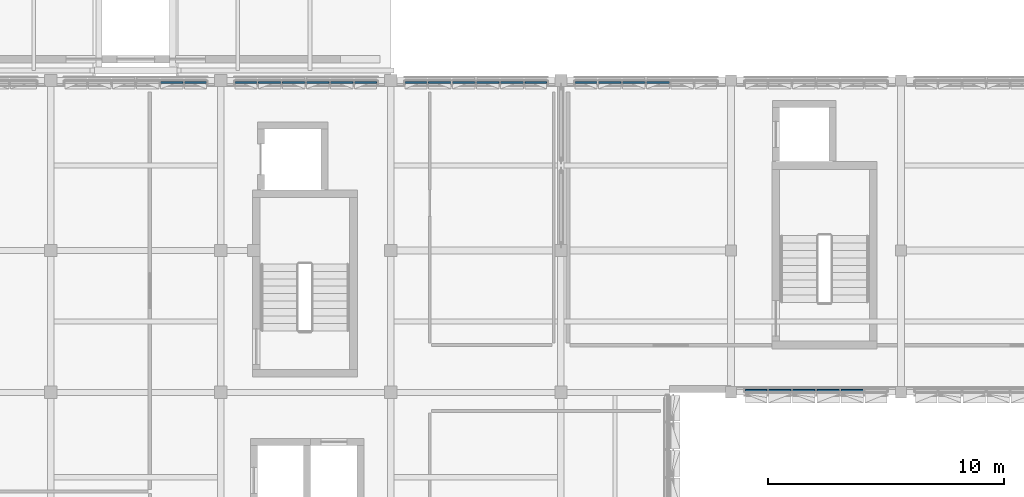
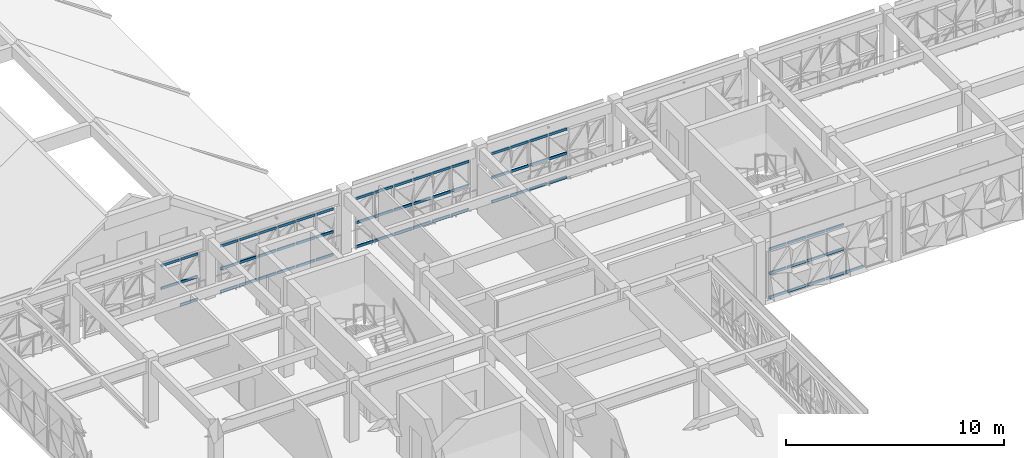
# One storey, part 16 of 48: 66 members, 5 elements without a shape of their own.
"""IFC4 building model written with IfcOpenShell, lengths in metres."""

import ifcopenshell
import ifcopenshell.guid

model = None  # the IFC model being written
_history = None  # IfcOwnerHistory: only IFC2X3 demands one
_inside = {}  # id of a spatial element -> (the spatial element, [elements in it])
_under = {}  # id of a project, library or spatial element -> (it, [spatial elements below it])
_declared = {}  # id of a project -> (the project, [libraries it declares])
_typed = {}  # id of a type object -> (the type object, [elements of that type])
_made_of = {}  # id of a material, layer set ... -> (it, [elements and type objects made of it])


def new_model(schema):
    """Start an empty IFC model of exactly this schema.

    Asked for "IFC4X3", IfcOpenShell would pick the latest addendum, in which some entities
    have other attributes; the version numbers below select the first issue.
    IFC2X3 requires an IfcOwnerHistory on every rooted entity: one is made here for all.
    """
    global model, _history
    if schema == "IFC4X3":
        model = ifcopenshell.file(schema_version=(4, 3, 0, 0))
    else:
        model = ifcopenshell.file(schema=schema)
    _inside.clear()
    _under.clear()
    _declared.clear()
    _typed.clear()
    _made_of.clear()
    _history = None
    if model.schema == "IFC2X3":
        org = make("IfcOrganization", Name="unknown")
        user = make(
            "IfcPersonAndOrganization",
            ThePerson=make("IfcPerson", FamilyName="unknown"),
            TheOrganization=org,
        )
        app = make(
            "IfcApplication",
            ApplicationDeveloper=org,
            Version="unknown",
            ApplicationFullName="unknown",
            ApplicationIdentifier="unknown",
        )
        _history = make(
            "IfcOwnerHistory",
            OwningUser=user,
            OwningApplication=app,
            ChangeAction="ADDED",
            CreationDate=0,
        )
    return model


def make(cls, **values):
    """One entity of the class cls with the attributes given. An attribute that is None is left unset."""
    return model.create_entity(
        cls, **{name: value for name, value in values.items() if value is not None}
    )


def rooted(cls, **values):
    """An entity with a GlobalId (a new one), such as an element, a storey or a relation."""
    return make(cls, GlobalId=ifcopenshell.guid.new(), OwnerHistory=_history, **values)


def si_unit(unit_type, name, prefix=None):
    """IfcSIUnit, for example si_unit("LENGTHUNIT", "METRE", prefix="MILLI")."""
    return make("IfcSIUnit", UnitType=unit_type, Prefix=prefix, Name=name)


def assignment(units):
    """IfcUnitAssignment: the units of a project."""
    return None if units is None else make("IfcUnitAssignment", Units=units)


def point(xyz):
    """IfcCartesianPoint."""
    return None if xyz is None else make("IfcCartesianPoint", Coordinates=xyz)


def direction(xyz):
    """IfcDirection."""
    return None if xyz is None else make("IfcDirection", DirectionRatios=xyz)


def frame(location, z_axis=None, x_axis=None):
    """IfcAxis2Placement3D, a coordinate frame: its origin and axes. An axis left out is left unset."""
    return make(
        "IfcAxis2Placement3D",
        Location=point(location),
        Axis=direction(z_axis),
        RefDirection=direction(x_axis),
    )


def frame_2d(location, x_axis=None):
    """IfcAxis2Placement2D, a coordinate frame in the plane: its origin and x axis."""
    return make(
        "IfcAxis2Placement2D", Location=point(location), RefDirection=direction(x_axis)
    )


def origin():
    """The frame at (0, 0, 0) with its axes left unset."""
    return frame((0.0, 0.0, 0.0))


def origin_2d():
    """The frame at (0, 0) in the plane with its x axis left unset."""
    return frame_2d((0.0, 0.0))


def place(relative_to, where):
    """IfcLocalPlacement: puts the frame where relative to a parent placement (None: the world)."""
    return make(
        "IfcLocalPlacement", PlacementRelTo=relative_to, RelativePlacement=where
    )


def context(
    kind, dimensions, precision=None, world=None, true_north=None, identifier=None
):
    """IfcGeometricRepresentationContext, for example the 3D "Model" context."""
    return make(
        "IfcGeometricRepresentationContext",
        ContextIdentifier=identifier,
        ContextType=kind,
        CoordinateSpaceDimension=dimensions,
        Precision=precision,
        WorldCoordinateSystem=world,
        TrueNorth=true_north,
    )


def subcontext(parent, identifier, kind, view, scale=None):
    """IfcGeometricRepresentationSubContext, for example "Body" below "Model"."""
    return make(
        "IfcGeometricRepresentationSubContext",
        ContextIdentifier=identifier,
        ContextType=kind,
        ParentContext=parent,
        TargetScale=scale,
        TargetView=view,
    )


def project(units=None, contexts=None):
    """IfcProject with its units and contexts."""
    return rooted(
        "IfcProject",
        Name="project",
        RepresentationContexts=contexts,
        UnitsInContext=assignment(units),
    )


def spatial(cls, under=None, at=None, **own):
    """A site, building, storey or space (cls), placed at a placement, below another one or the project."""
    s = rooted(cls, ObjectPlacement=at, **own)
    if under is not None:
        _under.setdefault(under.id(), (under, []))[1].append(s)
    return s


def profile(cls, at=None, kind="AREA", **sizes):
    """A parametric profile (cls). Its sizes go by their IFC names, for example OverallWidth=200.0."""
    return make(cls, ProfileType=kind, Position=at, **sizes)


def rectangle(**sizes):
    """IfcRectangleProfileDef."""
    return profile("IfcRectangleProfileDef", **sizes)


def extrude(swept, where, along, depth):
    """IfcExtrudedAreaSolid: the profile swept, set in the frame where, extruded along a direction by depth."""
    return make(
        "IfcExtrudedAreaSolid",
        SweptArea=swept,
        Position=where,
        ExtrudedDirection=direction(along),
        Depth=depth,
    )


def shape(context_of_items, identifier, shape_type, items):
    """IfcShapeRepresentation: the items that make up one representation, for example the "Body"."""
    return make(
        "IfcShapeRepresentation",
        ContextOfItems=context_of_items,
        RepresentationIdentifier=identifier,
        RepresentationType=shape_type,
        Items=items,
    )


def material(Name=None, Category=None):
    """IfcMaterial."""
    return make("IfcMaterial", Name=Name, Category=Category)


def material_profile(
    of_material, cross_section, Name=None, Category=None, Priority=None
):
    """IfcMaterialProfile: a cross section and its material."""
    return make(
        "IfcMaterialProfile",
        Name=Name,
        Material=of_material,
        Profile=cross_section,
        Priority=Priority,
        Category=Category,
    )


def profile_set(profiles, Name=None, composite=None):
    """IfcMaterialProfileSet."""
    return make(
        "IfcMaterialProfileSet",
        Name=Name,
        MaterialProfiles=profiles,
        CompositeProfile=composite,
    )


def made_of(thing, what):
    """Note that an element or type object is made of a material, layer set ...; save() writes the relation."""
    if what is not None:
        _made_of.setdefault(what.id(), (what, []))[1].append(thing)
    return thing


def type_object(cls, material=None, **own):
    """A type object (cls), such as IfcWallType, which elements share."""
    return made_of(rooted(cls, **own), material)


def element(
    cls,
    number,
    at=None,
    inside=None,
    cuts=None,
    type_object=None,
    material=None,
    context=None,
    identifier="Body",
    shape_type=None,
    held_by="IfcProductDefinitionShape",
    body=None,
    shapes=None,
    **own,
):
    """One element of the class cls, such as IfcWall. Its Tag is "e" and its number.

    at: its placement. inside: the storey or other place that contains it. cuts: it is an
    opening in that element (IfcRelVoidsElement). A single representation is given by context,
    identifier, shape_type and body (its items); several are given by shapes. held_by: the class
    of the entity that holds the representations. save() writes the other relations.
    """
    e = rooted(cls, Tag="e%d" % number, ObjectPlacement=at, **own)
    if body is not None:
        shapes = [shape(context, identifier, shape_type, body)]
    if shapes is not None:
        e.Representation = make(held_by, Representations=shapes)
    if inside is not None:
        _inside.setdefault(inside.id(), (inside, []))[1].append(e)
    if cuts is not None:
        rooted(
            "IfcRelVoidsElement", RelatingBuildingElement=cuts, RelatedOpeningElement=e
        )
    if type_object is not None:
        _typed.setdefault(type_object.id(), (type_object, []))[1].append(e)
    return made_of(e, material)


def aggregate(whole, parts):
    """IfcRelAggregates: a whole, such as a stair, and the parts it consists of."""
    return rooted("IfcRelAggregates", RelatingObject=whole, RelatedObjects=parts)


def save(model, path):
    """Write the relations noted so far, then the file.

    IfcRelAggregates (storeys below a building ...), IfcRelContainedInSpatialStructure (elements
    in a storey), IfcRelDefinesByType, IfcRelAssociatesMaterial and IfcRelDeclares: one each for
    every whole, place, type object, material and project.
    """
    for whole, parts in _under.values():
        aggregate(whole, parts)
    for where, things in _inside.values():
        rooted(
            "IfcRelContainedInSpatialStructure",
            RelatedElements=things,
            RelatingStructure=where,
        )
    for kind, things in _typed.values():
        rooted("IfcRelDefinesByType", RelatedObjects=things, RelatingType=kind)
    for what, things in _made_of.values():
        rooted("IfcRelAssociatesMaterial", RelatedObjects=things, RelatingMaterial=what)
    for by, libraries in _declared.values():
        rooted("IfcRelDeclares", RelatingContext=by, RelatedDefinitions=libraries)
    model.write(path)


model = new_model("IFC4")

# Units and contexts
model_context = context("Model", 3, precision=1e-05, world=origin(), true_north=direction((0.0, 1.0)))
body_context = subcontext(model_context, "Body", "Model", "MODEL_VIEW")
ifc_project = project(units=[si_unit("LENGTHUNIT", "METRE"), si_unit("AREAUNIT", "SQUARE_METRE"), si_unit("VOLUMEUNIT", "CUBIC_METRE"), si_unit("PLANEANGLEUNIT", "RADIAN"), si_unit("MASSUNIT", "GRAM", prefix="KILO")], contexts=[model_context])

# Site, building, storey
site_placement = place(None, origin())
site = spatial("IfcSite", under=ifc_project, at=site_placement, CompositionType="ELEMENT")
building_placement = place(site_placement, origin())
building = spatial("IfcBuilding", under=site, at=building_placement, Name="Alvorim Cloister Faculty of Sciences", CompositionType="ELEMENT")
storey_placement = place(building_placement, frame((0.0, 0.0, 19.35009765625)))
storey = spatial("IfcBuildingStorey", under=building, at=storey_placement, Name="L05", CompositionType="ELEMENT", Elevation=19.35009765625)

# Curtain wall, members
ifc_material_1 = material(Name="Aluminium and Low-E Glass Curtain Wall", Category="aluminium")
curtain_wall_type_1 = type_object("IfcCurtainWallType", Name="CW-TRI-6120x2706", PredefinedType="USERDEFINED", material=ifc_material_1)
curtain_wall_1_placement = place(storey_placement, origin())
curtain_wall_1 = element("IfcCurtainWall", 1, at=curtain_wall_1_placement, inside=storey, type_object=curtain_wall_type_1, Name="L05 Diagonal Cassette Curtain Wall CW-0220", ObjectType="UNITISED CURTAIN WALL", PredefinedType="USERDEFINED")
ifc_material_2 = material(Name="Aluminium Alloy 6063-T6", Category="aluminium")
ifc_material_profile = material_profile(ifc_material_2, rectangle(XDim=0.06494140625, YDim=0.139892578125, at=origin_2d()), Name="ALU-TRN-65x140")
ifc_profile_set = profile_set([ifc_material_profile], Name="Aluminium Alloy 6063-T6")
member_type = type_object("IfcMemberType", Name="CW-TRN-65x140", PredefinedType="USERDEFINED", material=ifc_profile_set)
member_1_placement = place(storey_placement, frame((11.8525390625, 56.31005859375, 1.352783203125), z_axis=(1.0, 0.0, 0.0), x_axis=(0.0, 1.0, 0.0)))
member_1 = element("IfcMember", 2, at=member_1_placement, type_object=member_type, Name="CW-0220 Transom 5.2", ObjectType="TRANSOM", PredefinedType="USERDEFINED", context=body_context, shape_type="SweptSolid", body=[
    extrude(rectangle(XDim=0.06494140625, YDim=0.139892578125, at=origin_2d()), origin(), (0.0, 0.0, 1.0), 0.955078125),
])
member_2_placement = place(storey_placement, frame((11.8525390625, 56.31005859375, 2.635986328125), z_axis=(1.0, 0.0, 0.0), x_axis=(0.0, 1.0, 0.0)))
member_2 = element("IfcMember", 3, at=member_2_placement, type_object=member_type, Name="CW-0220 Transom 5.3", ObjectType="TRANSOM", PredefinedType="USERDEFINED", context=body_context, shape_type="SweptSolid", body=[
    extrude(rectangle(XDim=0.06494140625, YDim=0.139892578125, at=origin_2d()), origin(), (0.0, 0.0, 1.0), 0.955078125),
])
member_3_placement = place(storey_placement, frame((12.87255859375, 56.31005859375, 0.06982421875), z_axis=(1.0, 0.0, 0.0), x_axis=(0.0, 1.0, 0.0)))
member_3 = element("IfcMember", 4, at=member_3_placement, type_object=member_type, Name="CW-0220 Transom 6.1", ObjectType="TRANSOM", PredefinedType="USERDEFINED", context=body_context, shape_type="SweptSolid", body=[
    extrude(rectangle(XDim=0.06494140625, YDim=0.139892578125, at=origin_2d()), origin(), (0.0, 0.0, 1.0), 0.92236328125),
])
member_4_placement = place(storey_placement, frame((12.87255859375, 56.31005859375, 1.352783203125), z_axis=(1.0, 0.0, 0.0), x_axis=(0.0, 1.0, 0.0)))
member_4 = element("IfcMember", 5, at=member_4_placement, type_object=member_type, Name="CW-0220 Transom 6.2", ObjectType="TRANSOM", PredefinedType="USERDEFINED", context=body_context, shape_type="SweptSolid", body=[
    extrude(rectangle(XDim=0.06494140625, YDim=0.139892578125, at=origin_2d()), origin(), (0.0, 0.0, 1.0), 0.92236328125),
])
member_5_placement = place(storey_placement, frame((12.87255859375, 56.31005859375, 2.635986328125), z_axis=(1.0, 0.0, 0.0), x_axis=(0.0, 1.0, 0.0)))
member_5 = element("IfcMember", 6, at=member_5_placement, type_object=member_type, Name="CW-0220 Transom 6.3", ObjectType="TRANSOM", PredefinedType="USERDEFINED", context=body_context, shape_type="SweptSolid", body=[
    extrude(rectangle(XDim=0.06494140625, YDim=0.139892578125, at=origin_2d()), origin(), (0.0, 0.0, 1.0), 0.92236328125),
])
aggregate(curtain_wall_1, [member_1, member_2, member_3, member_4, member_5])

curtain_wall_2_placement = place(storey_placement, origin())
curtain_wall_2 = element("IfcCurtainWall", 7, at=curtain_wall_2_placement, inside=storey, type_object=curtain_wall_type_1, Name="L05 Diagonal Cassette Curtain Wall CW-0221", ObjectType="UNITISED CURTAIN WALL", PredefinedType="USERDEFINED")
member_6_placement = place(storey_placement, frame((15.0048828125, 56.31005859375, 0.06982421875), z_axis=(1.0, 0.0, 0.0), x_axis=(0.0, 1.0, 0.0)))
member_6 = element("IfcMember", 8, at=member_6_placement, type_object=member_type, Name="CW-0221 Transom 1.1", ObjectType="TRANSOM", PredefinedType="USERDEFINED", context=body_context, shape_type="SweptSolid", body=[
    extrude(rectangle(XDim=0.06494140625, YDim=0.139892578125, at=origin_2d()), origin(), (0.0, 0.0, 1.0), 0.922607421875),
])
member_7_placement = place(storey_placement, frame((15.0048828125, 56.31005859375, 1.352783203125), z_axis=(1.0, 0.0, 0.0), x_axis=(0.0, 1.0, 0.0)))
member_7 = element("IfcMember", 9, at=member_7_placement, type_object=member_type, Name="CW-0221 Transom 1.2", ObjectType="TRANSOM", PredefinedType="USERDEFINED", context=body_context, shape_type="SweptSolid", body=[
    extrude(rectangle(XDim=0.06494140625, YDim=0.139892578125, at=origin_2d()), origin(), (0.0, 0.0, 1.0), 0.922607421875),
])
member_8_placement = place(storey_placement, frame((15.0048828125, 56.31005859375, 2.635986328125), z_axis=(1.0, 0.0, 0.0), x_axis=(0.0, 1.0, 0.0)))
member_8 = element("IfcMember", 10, at=member_8_placement, type_object=member_type, Name="CW-0221 Transom 1.3", ObjectType="TRANSOM", PredefinedType="USERDEFINED", context=body_context, shape_type="SweptSolid", body=[
    extrude(rectangle(XDim=0.06494140625, YDim=0.139892578125, at=origin_2d()), origin(), (0.0, 0.0, 1.0), 0.922607421875),
])
member_9_placement = place(storey_placement, frame((15.992431640625, 56.31005859375, 0.06982421875), z_axis=(1.0, 0.0, 0.0), x_axis=(0.0, 1.0, 0.0)))
member_9 = element("IfcMember", 11, at=member_9_placement, type_object=member_type, Name="CW-0221 Transom 2.1", ObjectType="TRANSOM", PredefinedType="USERDEFINED", context=body_context, shape_type="SweptSolid", body=[
    extrude(rectangle(XDim=0.06494140625, YDim=0.139892578125, at=origin_2d()), origin(), (0.0, 0.0, 1.0), 0.955078125),
])
member_10_placement = place(storey_placement, frame((15.992431640625, 56.31005859375, 1.352783203125), z_axis=(1.0, 0.0, 0.0), x_axis=(0.0, 1.0, 0.0)))
member_10 = element("IfcMember", 12, at=member_10_placement, type_object=member_type, Name="CW-0221 Transom 2.2", ObjectType="TRANSOM", PredefinedType="USERDEFINED", context=body_context, shape_type="SweptSolid", body=[
    extrude(rectangle(XDim=0.06494140625, YDim=0.139892578125, at=origin_2d()), origin(), (0.0, 0.0, 1.0), 0.955078125),
])
member_11_placement = place(storey_placement, frame((15.992431640625, 56.31005859375, 2.635986328125), z_axis=(1.0, 0.0, 0.0), x_axis=(0.0, 1.0, 0.0)))
member_11 = element("IfcMember", 13, at=member_11_placement, type_object=member_type, Name="CW-0221 Transom 2.3", ObjectType="TRANSOM", PredefinedType="USERDEFINED", context=body_context, shape_type="SweptSolid", body=[
    extrude(rectangle(XDim=0.06494140625, YDim=0.139892578125, at=origin_2d()), origin(), (0.0, 0.0, 1.0), 0.955078125),
])
member_12_placement = place(storey_placement, frame((17.012451171875, 56.31005859375, 0.06982421875), z_axis=(1.0, 0.0, 0.0), x_axis=(0.0, 1.0, 0.0)))
member_12 = element("IfcMember", 14, at=member_12_placement, type_object=member_type, Name="CW-0221 Transom 3.1", ObjectType="TRANSOM", PredefinedType="USERDEFINED", context=body_context, shape_type="SweptSolid", body=[
    extrude(rectangle(XDim=0.06494140625, YDim=0.139892578125, at=origin_2d()), origin(), (0.0, 0.0, 1.0), 0.955078125),
])
member_13_placement = place(storey_placement, frame((17.012451171875, 56.31005859375, 1.352783203125), z_axis=(1.0, 0.0, 0.0), x_axis=(0.0, 1.0, 0.0)))
member_13 = element("IfcMember", 15, at=member_13_placement, type_object=member_type, Name="CW-0221 Transom 3.2", ObjectType="TRANSOM", PredefinedType="USERDEFINED", context=body_context, shape_type="SweptSolid", body=[
    extrude(rectangle(XDim=0.06494140625, YDim=0.139892578125, at=origin_2d()), origin(), (0.0, 0.0, 1.0), 0.955078125),
])
member_14_placement = place(storey_placement, frame((17.012451171875, 56.31005859375, 2.635986328125), z_axis=(1.0, 0.0, 0.0), x_axis=(0.0, 1.0, 0.0)))
member_14 = element("IfcMember", 16, at=member_14_placement, type_object=member_type, Name="CW-0221 Transom 3.3", ObjectType="TRANSOM", PredefinedType="USERDEFINED", context=body_context, shape_type="SweptSolid", body=[
    extrude(rectangle(XDim=0.06494140625, YDim=0.139892578125, at=origin_2d()), origin(), (0.0, 0.0, 1.0), 0.955078125),
])
member_15_placement = place(storey_placement, frame((18.032470703125, 56.31005859375, 0.06982421875), z_axis=(1.0, 0.0, 0.0), x_axis=(0.0, 1.0, 0.0)))
member_15 = element("IfcMember", 17, at=member_15_placement, type_object=member_type, Name="CW-0221 Transom 4.1", ObjectType="TRANSOM", PredefinedType="USERDEFINED", context=body_context, shape_type="SweptSolid", body=[
    extrude(rectangle(XDim=0.06494140625, YDim=0.139892578125, at=origin_2d()), origin(), (0.0, 0.0, 1.0), 0.955078125),
])
member_16_placement = place(storey_placement, frame((18.032470703125, 56.31005859375, 1.352783203125), z_axis=(1.0, 0.0, 0.0), x_axis=(0.0, 1.0, 0.0)))
member_16 = element("IfcMember", 18, at=member_16_placement, type_object=member_type, Name="CW-0221 Transom 4.2", ObjectType="TRANSOM", PredefinedType="USERDEFINED", context=body_context, shape_type="SweptSolid", body=[
    extrude(rectangle(XDim=0.06494140625, YDim=0.139892578125, at=origin_2d()), origin(), (0.0, 0.0, 1.0), 0.955078125),
])
member_17_placement = place(storey_placement, frame((18.032470703125, 56.31005859375, 2.635986328125), z_axis=(1.0, 0.0, 0.0), x_axis=(0.0, 1.0, 0.0)))
member_17 = element("IfcMember", 19, at=member_17_placement, type_object=member_type, Name="CW-0221 Transom 4.3", ObjectType="TRANSOM", PredefinedType="USERDEFINED", context=body_context, shape_type="SweptSolid", body=[
    extrude(rectangle(XDim=0.06494140625, YDim=0.139892578125, at=origin_2d()), origin(), (0.0, 0.0, 1.0), 0.955078125),
])
member_18_placement = place(storey_placement, frame((19.052490234375, 56.31005859375, 0.06982421875), z_axis=(1.0, 0.0, 0.0), x_axis=(0.0, 1.0, 0.0)))
member_18 = element("IfcMember", 20, at=member_18_placement, type_object=member_type, Name="CW-0221 Transom 5.1", ObjectType="TRANSOM", PredefinedType="USERDEFINED", context=body_context, shape_type="SweptSolid", body=[
    extrude(rectangle(XDim=0.06494140625, YDim=0.139892578125, at=origin_2d()), origin(), (0.0, 0.0, 1.0), 0.955078125),
])
member_19_placement = place(storey_placement, frame((19.052490234375, 56.31005859375, 1.352783203125), z_axis=(1.0, 0.0, 0.0), x_axis=(0.0, 1.0, 0.0)))
member_19 = element("IfcMember", 21, at=member_19_placement, type_object=member_type, Name="CW-0221 Transom 5.2", ObjectType="TRANSOM", PredefinedType="USERDEFINED", context=body_context, shape_type="SweptSolid", body=[
    extrude(rectangle(XDim=0.06494140625, YDim=0.139892578125, at=origin_2d()), origin(), (0.0, 0.0, 1.0), 0.955078125),
])
member_20_placement = place(storey_placement, frame((19.052490234375, 56.31005859375, 2.635986328125), z_axis=(1.0, 0.0, 0.0), x_axis=(0.0, 1.0, 0.0)))
member_20 = element("IfcMember", 22, at=member_20_placement, type_object=member_type, Name="CW-0221 Transom 5.3", ObjectType="TRANSOM", PredefinedType="USERDEFINED", context=body_context, shape_type="SweptSolid", body=[
    extrude(rectangle(XDim=0.06494140625, YDim=0.139892578125, at=origin_2d()), origin(), (0.0, 0.0, 1.0), 0.955078125),
])
member_21_placement = place(storey_placement, frame((20.072509765625, 56.31005859375, 0.06982421875), z_axis=(1.0, 0.0, 0.0), x_axis=(0.0, 1.0, 0.0)))
member_21 = element("IfcMember", 23, at=member_21_placement, type_object=member_type, Name="CW-0221 Transom 6.1", ObjectType="TRANSOM", PredefinedType="USERDEFINED", context=body_context, shape_type="SweptSolid", body=[
    extrude(rectangle(XDim=0.06494140625, YDim=0.139892578125, at=origin_2d()), origin(), (0.0, 0.0, 1.0), 0.922607421875),
])
member_22_placement = place(storey_placement, frame((20.072509765625, 56.31005859375, 1.352783203125), z_axis=(1.0, 0.0, 0.0), x_axis=(0.0, 1.0, 0.0)))
member_22 = element("IfcMember", 24, at=member_22_placement, type_object=member_type, Name="CW-0221 Transom 6.2", ObjectType="TRANSOM", PredefinedType="USERDEFINED", context=body_context, shape_type="SweptSolid", body=[
    extrude(rectangle(XDim=0.06494140625, YDim=0.139892578125, at=origin_2d()), origin(), (0.0, 0.0, 1.0), 0.922607421875),
])
member_23_placement = place(storey_placement, frame((20.072509765625, 56.31005859375, 2.635986328125), z_axis=(1.0, 0.0, 0.0), x_axis=(0.0, 1.0, 0.0)))
member_23 = element("IfcMember", 25, at=member_23_placement, type_object=member_type, Name="CW-0221 Transom 6.3", ObjectType="TRANSOM", PredefinedType="USERDEFINED", context=body_context, shape_type="SweptSolid", body=[
    extrude(rectangle(XDim=0.06494140625, YDim=0.139892578125, at=origin_2d()), origin(), (0.0, 0.0, 1.0), 0.922607421875),
])
aggregate(curtain_wall_2, [member_6, member_7, member_8, member_9, member_10, member_11, member_12, member_13, member_14, member_15, member_16, member_17, member_18, member_19, member_20, member_21, member_22, member_23])

curtain_wall_type_2 = type_object("IfcCurtainWallType", Name="CW-TRI-6120x2850", PredefinedType="USERDEFINED", material=ifc_material_1)
curtain_wall_3_placement = place(storey_placement, origin())
curtain_wall_3 = element("IfcCurtainWall", 26, at=curtain_wall_3_placement, inside=storey, type_object=curtain_wall_type_2, Name="L05 Diagonal Cassette Curtain Wall CW-0222", ObjectType="UNITISED CURTAIN WALL", PredefinedType="USERDEFINED")
member_24_placement = place(storey_placement, frame((22.205078125, 56.31005859375, 0.06982421875), z_axis=(1.0, 0.0, 0.0), x_axis=(0.0, 1.0, 0.0)))
member_24 = element("IfcMember", 27, at=member_24_placement, type_object=member_type, Name="CW-0222 Transom 1.1", ObjectType="TRANSOM", PredefinedType="USERDEFINED", context=body_context, shape_type="SweptSolid", body=[
    extrude(rectangle(XDim=0.06494140625, YDim=0.139892578125, at=origin_2d()), origin(), (0.0, 0.0, 1.0), 0.92236328125),
])
member_25_placement = place(storey_placement, frame((22.205078125, 56.31005859375, 1.4248046875), z_axis=(1.0, 0.0, 0.0), x_axis=(0.0, 1.0, 0.0)))
member_25 = element("IfcMember", 28, at=member_25_placement, type_object=member_type, Name="CW-0222 Transom 1.2", ObjectType="TRANSOM", PredefinedType="USERDEFINED", context=body_context, shape_type="SweptSolid", body=[
    extrude(rectangle(XDim=0.06494140625, YDim=0.139892578125, at=origin_2d()), origin(), (0.0, 0.0, 1.0), 0.92236328125),
])
member_26_placement = place(storey_placement, frame((22.205078125, 56.31005859375, 2.77978515625), z_axis=(1.0, 0.0, 0.0), x_axis=(0.0, 1.0, 0.0)))
member_26 = element("IfcMember", 29, at=member_26_placement, type_object=member_type, Name="CW-0222 Transom 1.3", ObjectType="TRANSOM", PredefinedType="USERDEFINED", context=body_context, shape_type="SweptSolid", body=[
    extrude(rectangle(XDim=0.06494140625, YDim=0.139892578125, at=origin_2d()), origin(), (0.0, 0.0, 1.0), 0.92236328125),
])
member_27_placement = place(storey_placement, frame((23.1923828125, 56.31005859375, 0.06982421875), z_axis=(1.0, 0.0, 0.0), x_axis=(0.0, 1.0, 0.0)))
member_27 = element("IfcMember", 30, at=member_27_placement, type_object=member_type, Name="CW-0222 Transom 2.1", ObjectType="TRANSOM", PredefinedType="USERDEFINED", context=body_context, shape_type="SweptSolid", body=[
    extrude(rectangle(XDim=0.06494140625, YDim=0.139892578125, at=origin_2d()), origin(), (0.0, 0.0, 1.0), 0.955078125),
])
member_28_placement = place(storey_placement, frame((23.1923828125, 56.31005859375, 1.4248046875), z_axis=(1.0, 0.0, 0.0), x_axis=(0.0, 1.0, 0.0)))
member_28 = element("IfcMember", 31, at=member_28_placement, type_object=member_type, Name="CW-0222 Transom 2.2", ObjectType="TRANSOM", PredefinedType="USERDEFINED", context=body_context, shape_type="SweptSolid", body=[
    extrude(rectangle(XDim=0.06494140625, YDim=0.139892578125, at=origin_2d()), origin(), (0.0, 0.0, 1.0), 0.955078125),
])
member_29_placement = place(storey_placement, frame((23.1923828125, 56.31005859375, 2.77978515625), z_axis=(1.0, 0.0, 0.0), x_axis=(0.0, 1.0, 0.0)))
member_29 = element("IfcMember", 32, at=member_29_placement, type_object=member_type, Name="CW-0222 Transom 2.3", ObjectType="TRANSOM", PredefinedType="USERDEFINED", context=body_context, shape_type="SweptSolid", body=[
    extrude(rectangle(XDim=0.06494140625, YDim=0.139892578125, at=origin_2d()), origin(), (0.0, 0.0, 1.0), 0.955078125),
])
member_30_placement = place(storey_placement, frame((24.21240234375, 56.31005859375, 0.06982421875), z_axis=(1.0, 0.0, 0.0), x_axis=(0.0, 1.0, 0.0)))
member_30 = element("IfcMember", 33, at=member_30_placement, type_object=member_type, Name="CW-0222 Transom 3.1", ObjectType="TRANSOM", PredefinedType="USERDEFINED", context=body_context, shape_type="SweptSolid", body=[
    extrude(rectangle(XDim=0.06494140625, YDim=0.139892578125, at=origin_2d()), origin(), (0.0, 0.0, 1.0), 0.955078125),
])
member_31_placement = place(storey_placement, frame((24.21240234375, 56.31005859375, 1.4248046875), z_axis=(1.0, 0.0, 0.0), x_axis=(0.0, 1.0, 0.0)))
member_31 = element("IfcMember", 34, at=member_31_placement, type_object=member_type, Name="CW-0222 Transom 3.2", ObjectType="TRANSOM", PredefinedType="USERDEFINED", context=body_context, shape_type="SweptSolid", body=[
    extrude(rectangle(XDim=0.06494140625, YDim=0.139892578125, at=origin_2d()), origin(), (0.0, 0.0, 1.0), 0.955078125),
])
member_32_placement = place(storey_placement, frame((24.21240234375, 56.31005859375, 2.77978515625), z_axis=(1.0, 0.0, 0.0), x_axis=(0.0, 1.0, 0.0)))
member_32 = element("IfcMember", 35, at=member_32_placement, type_object=member_type, Name="CW-0222 Transom 3.3", ObjectType="TRANSOM", PredefinedType="USERDEFINED", context=body_context, shape_type="SweptSolid", body=[
    extrude(rectangle(XDim=0.06494140625, YDim=0.139892578125, at=origin_2d()), origin(), (0.0, 0.0, 1.0), 0.955078125),
])
member_33_placement = place(storey_placement, frame((25.232421875, 56.31005859375, 0.06982421875), z_axis=(1.0, 0.0, 0.0), x_axis=(0.0, 1.0, 0.0)))
member_33 = element("IfcMember", 36, at=member_33_placement, type_object=member_type, Name="CW-0222 Transom 4.1", ObjectType="TRANSOM", PredefinedType="USERDEFINED", context=body_context, shape_type="SweptSolid", body=[
    extrude(rectangle(XDim=0.06494140625, YDim=0.139892578125, at=origin_2d()), origin(), (0.0, 0.0, 1.0), 0.955078125),
])
member_34_placement = place(storey_placement, frame((25.232421875, 56.31005859375, 1.4248046875), z_axis=(1.0, 0.0, 0.0), x_axis=(0.0, 1.0, 0.0)))
member_34 = element("IfcMember", 37, at=member_34_placement, type_object=member_type, Name="CW-0222 Transom 4.2", ObjectType="TRANSOM", PredefinedType="USERDEFINED", context=body_context, shape_type="SweptSolid", body=[
    extrude(rectangle(XDim=0.06494140625, YDim=0.139892578125, at=origin_2d()), origin(), (0.0, 0.0, 1.0), 0.955078125),
])
member_35_placement = place(storey_placement, frame((25.232421875, 56.31005859375, 2.77978515625), z_axis=(1.0, 0.0, 0.0), x_axis=(0.0, 1.0, 0.0)))
member_35 = element("IfcMember", 38, at=member_35_placement, type_object=member_type, Name="CW-0222 Transom 4.3", ObjectType="TRANSOM", PredefinedType="USERDEFINED", context=body_context, shape_type="SweptSolid", body=[
    extrude(rectangle(XDim=0.06494140625, YDim=0.139892578125, at=origin_2d()), origin(), (0.0, 0.0, 1.0), 0.955078125),
])
member_36_placement = place(storey_placement, frame((26.25244140625, 56.31005859375, 0.06982421875), z_axis=(1.0, 0.0, 0.0), x_axis=(0.0, 1.0, 0.0)))
member_36 = element("IfcMember", 39, at=member_36_placement, type_object=member_type, Name="CW-0222 Transom 5.1", ObjectType="TRANSOM", PredefinedType="USERDEFINED", context=body_context, shape_type="SweptSolid", body=[
    extrude(rectangle(XDim=0.06494140625, YDim=0.139892578125, at=origin_2d()), origin(), (0.0, 0.0, 1.0), 0.955078125),
])
member_37_placement = place(storey_placement, frame((26.25244140625, 56.31005859375, 1.4248046875), z_axis=(1.0, 0.0, 0.0), x_axis=(0.0, 1.0, 0.0)))
member_37 = element("IfcMember", 40, at=member_37_placement, type_object=member_type, Name="CW-0222 Transom 5.2", ObjectType="TRANSOM", PredefinedType="USERDEFINED", context=body_context, shape_type="SweptSolid", body=[
    extrude(rectangle(XDim=0.06494140625, YDim=0.139892578125, at=origin_2d()), origin(), (0.0, 0.0, 1.0), 0.955078125),
])
member_38_placement = place(storey_placement, frame((26.25244140625, 56.31005859375, 2.77978515625), z_axis=(1.0, 0.0, 0.0), x_axis=(0.0, 1.0, 0.0)))
member_38 = element("IfcMember", 41, at=member_38_placement, type_object=member_type, Name="CW-0222 Transom 5.3", ObjectType="TRANSOM", PredefinedType="USERDEFINED", context=body_context, shape_type="SweptSolid", body=[
    extrude(rectangle(XDim=0.06494140625, YDim=0.139892578125, at=origin_2d()), origin(), (0.0, 0.0, 1.0), 0.955078125),
])
member_39_placement = place(storey_placement, frame((27.2724609375, 56.31005859375, 0.06982421875), z_axis=(1.0, 0.0, 0.0), x_axis=(0.0, 1.0, 0.0)))
member_39 = element("IfcMember", 42, at=member_39_placement, type_object=member_type, Name="CW-0222 Transom 6.1", ObjectType="TRANSOM", PredefinedType="USERDEFINED", context=body_context, shape_type="SweptSolid", body=[
    extrude(rectangle(XDim=0.06494140625, YDim=0.139892578125, at=origin_2d()), origin(), (0.0, 0.0, 1.0), 0.922607421875),
])
member_40_placement = place(storey_placement, frame((27.2724609375, 56.31005859375, 1.4248046875), z_axis=(1.0, 0.0, 0.0), x_axis=(0.0, 1.0, 0.0)))
member_40 = element("IfcMember", 43, at=member_40_placement, type_object=member_type, Name="CW-0222 Transom 6.2", ObjectType="TRANSOM", PredefinedType="USERDEFINED", context=body_context, shape_type="SweptSolid", body=[
    extrude(rectangle(XDim=0.06494140625, YDim=0.139892578125, at=origin_2d()), origin(), (0.0, 0.0, 1.0), 0.922607421875),
])
member_41_placement = place(storey_placement, frame((27.2724609375, 56.31005859375, 2.77978515625), z_axis=(1.0, 0.0, 0.0), x_axis=(0.0, 1.0, 0.0)))
member_41 = element("IfcMember", 44, at=member_41_placement, type_object=member_type, Name="CW-0222 Transom 6.3", ObjectType="TRANSOM", PredefinedType="USERDEFINED", context=body_context, shape_type="SweptSolid", body=[
    extrude(rectangle(XDim=0.06494140625, YDim=0.139892578125, at=origin_2d()), origin(), (0.0, 0.0, 1.0), 0.922607421875),
])
aggregate(curtain_wall_3, [member_24, member_25, member_26, member_27, member_28, member_29, member_30, member_31, member_32, member_33, member_34, member_35, member_36, member_37, member_38, member_39, member_40, member_41])

curtain_wall_4_placement = place(storey_placement, origin())
curtain_wall_4 = element("IfcCurtainWall", 45, at=curtain_wall_4_placement, inside=storey, type_object=curtain_wall_type_2, Name="L05 Diagonal Cassette Curtain Wall CW-0223", ObjectType="UNITISED CURTAIN WALL", PredefinedType="USERDEFINED")
member_42_placement = place(storey_placement, frame((29.405029296875, 56.31005859375, 0.06982421875), z_axis=(1.0, 0.0, 0.0), x_axis=(0.0, 1.0, 0.0)))
member_42 = element("IfcMember", 46, at=member_42_placement, type_object=member_type, Name="CW-0223 Transom 1.1", ObjectType="TRANSOM", PredefinedType="USERDEFINED", context=body_context, shape_type="SweptSolid", body=[
    extrude(rectangle(XDim=0.06494140625, YDim=0.139892578125, at=origin_2d()), origin(), (0.0, 0.0, 1.0), 0.92236328125),
])
member_43_placement = place(storey_placement, frame((29.405029296875, 56.31005859375, 1.4248046875), z_axis=(1.0, 0.0, 0.0), x_axis=(0.0, 1.0, 0.0)))
member_43 = element("IfcMember", 47, at=member_43_placement, type_object=member_type, Name="CW-0223 Transom 1.2", ObjectType="TRANSOM", PredefinedType="USERDEFINED", context=body_context, shape_type="SweptSolid", body=[
    extrude(rectangle(XDim=0.06494140625, YDim=0.139892578125, at=origin_2d()), origin(), (0.0, 0.0, 1.0), 0.92236328125),
])
member_44_placement = place(storey_placement, frame((29.405029296875, 56.31005859375, 2.77978515625), z_axis=(1.0, 0.0, 0.0), x_axis=(0.0, 1.0, 0.0)))
member_44 = element("IfcMember", 48, at=member_44_placement, type_object=member_type, Name="CW-0223 Transom 1.3", ObjectType="TRANSOM", PredefinedType="USERDEFINED", context=body_context, shape_type="SweptSolid", body=[
    extrude(rectangle(XDim=0.06494140625, YDim=0.139892578125, at=origin_2d()), origin(), (0.0, 0.0, 1.0), 0.92236328125),
])
member_45_placement = place(storey_placement, frame((30.392578125, 56.31005859375, 0.06982421875), z_axis=(1.0, 0.0, 0.0), x_axis=(0.0, 1.0, 0.0)))
member_45 = element("IfcMember", 49, at=member_45_placement, type_object=member_type, Name="CW-0223 Transom 2.1", ObjectType="TRANSOM", PredefinedType="USERDEFINED", context=body_context, shape_type="SweptSolid", body=[
    extrude(rectangle(XDim=0.06494140625, YDim=0.139892578125, at=origin_2d()), origin(), (0.0, 0.0, 1.0), 0.954833984375),
])
member_46_placement = place(storey_placement, frame((30.392578125, 56.31005859375, 1.4248046875), z_axis=(1.0, 0.0, 0.0), x_axis=(0.0, 1.0, 0.0)))
member_46 = element("IfcMember", 50, at=member_46_placement, type_object=member_type, Name="CW-0223 Transom 2.2", ObjectType="TRANSOM", PredefinedType="USERDEFINED", context=body_context, shape_type="SweptSolid", body=[
    extrude(rectangle(XDim=0.06494140625, YDim=0.139892578125, at=origin_2d()), origin(), (0.0, 0.0, 1.0), 0.954833984375),
])
member_47_placement = place(storey_placement, frame((30.392578125, 56.31005859375, 2.77978515625), z_axis=(1.0, 0.0, 0.0), x_axis=(0.0, 1.0, 0.0)))
member_47 = element("IfcMember", 51, at=member_47_placement, type_object=member_type, Name="CW-0223 Transom 2.3", ObjectType="TRANSOM", PredefinedType="USERDEFINED", context=body_context, shape_type="SweptSolid", body=[
    extrude(rectangle(XDim=0.06494140625, YDim=0.139892578125, at=origin_2d()), origin(), (0.0, 0.0, 1.0), 0.954833984375),
])
member_48_placement = place(storey_placement, frame((31.41259765625, 56.31005859375, 0.06982421875), z_axis=(1.0, 0.0, 0.0), x_axis=(0.0, 1.0, 0.0)))
member_48 = element("IfcMember", 52, at=member_48_placement, type_object=member_type, Name="CW-0223 Transom 3.1", ObjectType="TRANSOM", PredefinedType="USERDEFINED", context=body_context, shape_type="SweptSolid", body=[
    extrude(rectangle(XDim=0.06494140625, YDim=0.139892578125, at=origin_2d()), origin(), (0.0, 0.0, 1.0), 0.954833984375),
])
member_49_placement = place(storey_placement, frame((31.41259765625, 56.31005859375, 1.4248046875), z_axis=(1.0, 0.0, 0.0), x_axis=(0.0, 1.0, 0.0)))
member_49 = element("IfcMember", 53, at=member_49_placement, type_object=member_type, Name="CW-0223 Transom 3.2", ObjectType="TRANSOM", PredefinedType="USERDEFINED", context=body_context, shape_type="SweptSolid", body=[
    extrude(rectangle(XDim=0.06494140625, YDim=0.139892578125, at=origin_2d()), origin(), (0.0, 0.0, 1.0), 0.954833984375),
])
member_50_placement = place(storey_placement, frame((31.41259765625, 56.31005859375, 2.77978515625), z_axis=(1.0, 0.0, 0.0), x_axis=(0.0, 1.0, 0.0)))
member_50 = element("IfcMember", 54, at=member_50_placement, type_object=member_type, Name="CW-0223 Transom 3.3", ObjectType="TRANSOM", PredefinedType="USERDEFINED", context=body_context, shape_type="SweptSolid", body=[
    extrude(rectangle(XDim=0.06494140625, YDim=0.139892578125, at=origin_2d()), origin(), (0.0, 0.0, 1.0), 0.954833984375),
])
member_51_placement = place(storey_placement, frame((32.4326171875, 56.31005859375, 0.06982421875), z_axis=(1.0, 0.0, 0.0), x_axis=(0.0, 1.0, 0.0)))
member_51 = element("IfcMember", 55, at=member_51_placement, type_object=member_type, Name="CW-0223 Transom 4.1", ObjectType="TRANSOM", PredefinedType="USERDEFINED", context=body_context, shape_type="SweptSolid", body=[
    extrude(rectangle(XDim=0.06494140625, YDim=0.139892578125, at=origin_2d()), origin(), (0.0, 0.0, 1.0), 0.954833984375),
])
member_52_placement = place(storey_placement, frame((32.4326171875, 56.31005859375, 1.4248046875), z_axis=(1.0, 0.0, 0.0), x_axis=(0.0, 1.0, 0.0)))
member_52 = element("IfcMember", 56, at=member_52_placement, type_object=member_type, Name="CW-0223 Transom 4.2", ObjectType="TRANSOM", PredefinedType="USERDEFINED", context=body_context, shape_type="SweptSolid", body=[
    extrude(rectangle(XDim=0.06494140625, YDim=0.139892578125, at=origin_2d()), origin(), (0.0, 0.0, 1.0), 0.954833984375),
])
member_53_placement = place(storey_placement, frame((32.4326171875, 56.31005859375, 2.77978515625), z_axis=(1.0, 0.0, 0.0), x_axis=(0.0, 1.0, 0.0)))
member_53 = element("IfcMember", 57, at=member_53_placement, type_object=member_type, Name="CW-0223 Transom 4.3", ObjectType="TRANSOM", PredefinedType="USERDEFINED", context=body_context, shape_type="SweptSolid", body=[
    extrude(rectangle(XDim=0.06494140625, YDim=0.139892578125, at=origin_2d()), origin(), (0.0, 0.0, 1.0), 0.954833984375),
])
aggregate(curtain_wall_4, [member_42, member_43, member_44, member_45, member_46, member_47, member_48, member_49, member_50, member_51, member_52, member_53])

curtain_wall_5_placement = place(storey_placement, origin())
curtain_wall_5 = element("IfcCurtainWall", 58, at=curtain_wall_5_placement, inside=storey, type_object=curtain_wall_type_2, Name="L05 Diagonal Cassette Curtain Wall CW-0231", ObjectType="UNITISED CURTAIN WALL", PredefinedType="USERDEFINED")
member_54_placement = place(storey_placement, frame((36.60498046875, 43.2900390625, 0.06982421875), z_axis=(1.0, 0.0, 0.0), x_axis=(0.0, 1.0, 0.0)))
member_54 = element("IfcMember", 59, at=member_54_placement, type_object=member_type, Name="CW-0231 Transom 1.1", ObjectType="TRANSOM", PredefinedType="USERDEFINED", context=body_context, shape_type="SweptSolid", body=[
    extrude(rectangle(XDim=0.06494140625, YDim=0.139892578125, at=origin_2d()), origin(), (0.0, 0.0, 1.0), 0.922607421875),
])
member_55_placement = place(storey_placement, frame((36.60498046875, 43.2900390625, 1.4248046875), z_axis=(1.0, 0.0, 0.0), x_axis=(0.0, 1.0, 0.0)))
member_55 = element("IfcMember", 60, at=member_55_placement, type_object=member_type, Name="CW-0231 Transom 1.2", ObjectType="TRANSOM", PredefinedType="USERDEFINED", context=body_context, shape_type="SweptSolid", body=[
    extrude(rectangle(XDim=0.06494140625, YDim=0.139892578125, at=origin_2d()), origin(), (0.0, 0.0, 1.0), 0.922607421875),
])
member_56_placement = place(storey_placement, frame((36.60498046875, 43.2900390625, 2.77978515625), z_axis=(1.0, 0.0, 0.0), x_axis=(0.0, 1.0, 0.0)))
member_56 = element("IfcMember", 61, at=member_56_placement, type_object=member_type, Name="CW-0231 Transom 1.3", ObjectType="TRANSOM", PredefinedType="USERDEFINED", context=body_context, shape_type="SweptSolid", body=[
    extrude(rectangle(XDim=0.06494140625, YDim=0.139892578125, at=origin_2d()), origin(), (0.0, 0.0, 1.0), 0.922607421875),
])
member_57_placement = place(storey_placement, frame((37.592529296875, 43.2900390625, 0.06982421875), z_axis=(1.0, 0.0, 0.0), x_axis=(0.0, 1.0, 0.0)))
member_57 = element("IfcMember", 62, at=member_57_placement, type_object=member_type, Name="CW-0231 Transom 2.1", ObjectType="TRANSOM", PredefinedType="USERDEFINED", context=body_context, shape_type="SweptSolid", body=[
    extrude(rectangle(XDim=0.06494140625, YDim=0.139892578125, at=origin_2d()), origin(), (0.0, 0.0, 1.0), 0.955078125),
])
member_58_placement = place(storey_placement, frame((37.592529296875, 43.2900390625, 1.4248046875), z_axis=(1.0, 0.0, 0.0), x_axis=(0.0, 1.0, 0.0)))
member_58 = element("IfcMember", 63, at=member_58_placement, type_object=member_type, Name="CW-0231 Transom 2.2", ObjectType="TRANSOM", PredefinedType="USERDEFINED", context=body_context, shape_type="SweptSolid", body=[
    extrude(rectangle(XDim=0.06494140625, YDim=0.139892578125, at=origin_2d()), origin(), (0.0, 0.0, 1.0), 0.955078125),
])
member_59_placement = place(storey_placement, frame((37.592529296875, 43.2900390625, 2.77978515625), z_axis=(1.0, 0.0, 0.0), x_axis=(0.0, 1.0, 0.0)))
member_59 = element("IfcMember", 64, at=member_59_placement, type_object=member_type, Name="CW-0231 Transom 2.3", ObjectType="TRANSOM", PredefinedType="USERDEFINED", context=body_context, shape_type="SweptSolid", body=[
    extrude(rectangle(XDim=0.06494140625, YDim=0.139892578125, at=origin_2d()), origin(), (0.0, 0.0, 1.0), 0.955078125),
])
member_60_placement = place(storey_placement, frame((38.612548828125, 43.2900390625, 0.06982421875), z_axis=(1.0, 0.0, 0.0), x_axis=(0.0, 1.0, 0.0)))
member_60 = element("IfcMember", 65, at=member_60_placement, type_object=member_type, Name="CW-0231 Transom 3.1", ObjectType="TRANSOM", PredefinedType="USERDEFINED", context=body_context, shape_type="SweptSolid", body=[
    extrude(rectangle(XDim=0.06494140625, YDim=0.139892578125, at=origin_2d()), origin(), (0.0, 0.0, 1.0), 0.954833984375),
])
member_61_placement = place(storey_placement, frame((38.612548828125, 43.2900390625, 1.4248046875), z_axis=(1.0, 0.0, 0.0), x_axis=(0.0, 1.0, 0.0)))
member_61 = element("IfcMember", 66, at=member_61_placement, type_object=member_type, Name="CW-0231 Transom 3.2", ObjectType="TRANSOM", PredefinedType="USERDEFINED", context=body_context, shape_type="SweptSolid", body=[
    extrude(rectangle(XDim=0.06494140625, YDim=0.139892578125, at=origin_2d()), origin(), (0.0, 0.0, 1.0), 0.954833984375),
])
member_62_placement = place(storey_placement, frame((38.612548828125, 43.2900390625, 2.77978515625), z_axis=(1.0, 0.0, 0.0), x_axis=(0.0, 1.0, 0.0)))
member_62 = element("IfcMember", 67, at=member_62_placement, type_object=member_type, Name="CW-0231 Transom 3.3", ObjectType="TRANSOM", PredefinedType="USERDEFINED", context=body_context, shape_type="SweptSolid", body=[
    extrude(rectangle(XDim=0.06494140625, YDim=0.139892578125, at=origin_2d()), origin(), (0.0, 0.0, 1.0), 0.954833984375),
])
member_63_placement = place(storey_placement, frame((39.632568359375, 43.2900390625, 0.06982421875), z_axis=(1.0, 0.0, 0.0), x_axis=(0.0, 1.0, 0.0)))
member_63 = element("IfcMember", 68, at=member_63_placement, type_object=member_type, Name="CW-0231 Transom 4.1", ObjectType="TRANSOM", PredefinedType="USERDEFINED", context=body_context, shape_type="SweptSolid", body=[
    extrude(rectangle(XDim=0.06494140625, YDim=0.139892578125, at=origin_2d()), origin(), (0.0, 0.0, 1.0), 0.954833984375),
])
member_64_placement = place(storey_placement, frame((39.632568359375, 43.2900390625, 1.4248046875), z_axis=(1.0, 0.0, 0.0), x_axis=(0.0, 1.0, 0.0)))
member_64 = element("IfcMember", 69, at=member_64_placement, type_object=member_type, Name="CW-0231 Transom 4.2", ObjectType="TRANSOM", PredefinedType="USERDEFINED", context=body_context, shape_type="SweptSolid", body=[
    extrude(rectangle(XDim=0.06494140625, YDim=0.139892578125, at=origin_2d()), origin(), (0.0, 0.0, 1.0), 0.954833984375),
])
member_65_placement = place(storey_placement, frame((39.632568359375, 43.2900390625, 2.77978515625), z_axis=(1.0, 0.0, 0.0), x_axis=(0.0, 1.0, 0.0)))
member_65 = element("IfcMember", 70, at=member_65_placement, type_object=member_type, Name="CW-0231 Transom 4.3", ObjectType="TRANSOM", PredefinedType="USERDEFINED", context=body_context, shape_type="SweptSolid", body=[
    extrude(rectangle(XDim=0.06494140625, YDim=0.139892578125, at=origin_2d()), origin(), (0.0, 0.0, 1.0), 0.954833984375),
])
member_66_placement = place(storey_placement, frame((40.652587890625, 43.2900390625, 0.06982421875), z_axis=(1.0, 0.0, 0.0), x_axis=(0.0, 1.0, 0.0)))
member_66 = element("IfcMember", 71, at=member_66_placement, type_object=member_type, Name="CW-0231 Transom 5.1", ObjectType="TRANSOM", PredefinedType="USERDEFINED", context=body_context, shape_type="SweptSolid", body=[
    extrude(rectangle(XDim=0.06494140625, YDim=0.139892578125, at=origin_2d()), origin(), (0.0, 0.0, 1.0), 0.954833984375),
])
aggregate(curtain_wall_5, [member_54, member_55, member_56, member_57, member_58, member_59, member_60, member_61, member_62, member_63, member_64, member_65, member_66])

save(model, "model.ifc")
